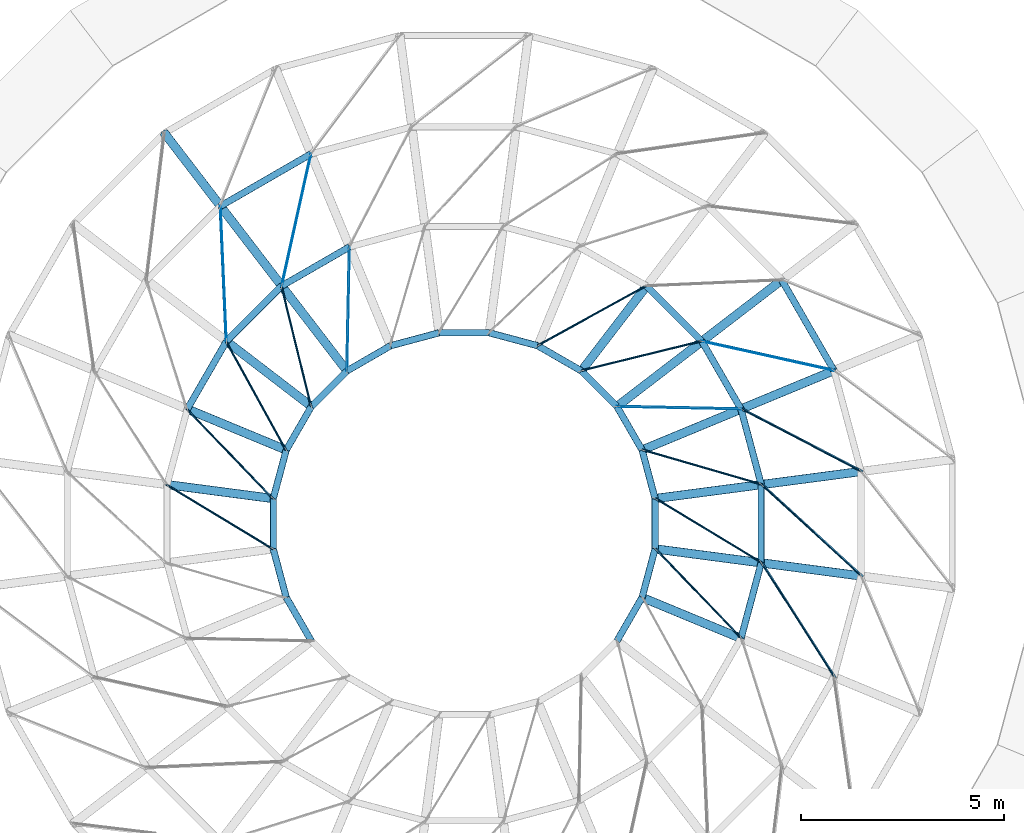
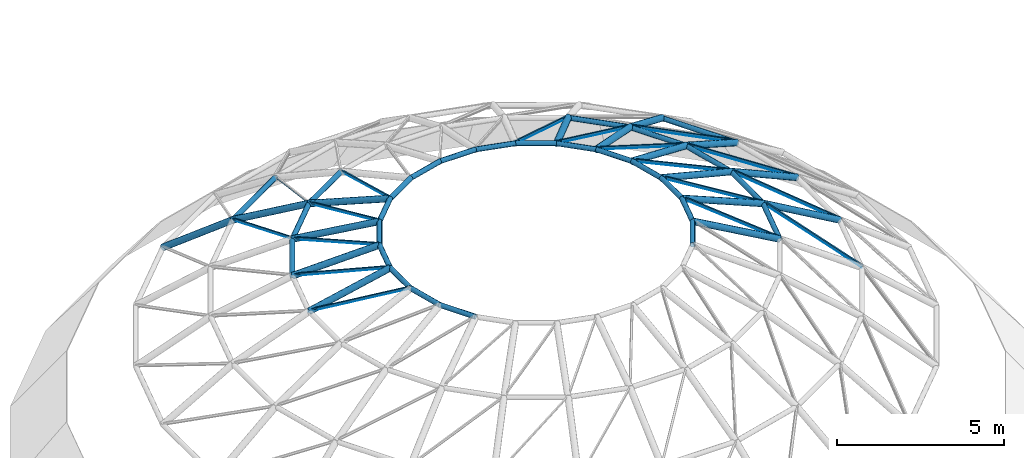
# One storey, part 5 of 33: 60 members, 16 beams.
"""IFC4 building model written with IfcOpenShell, lengths in metres."""

from ifc_helpers import new_model, si_unit, direction, frame, origin, origin_2d, place, context, subcontext, project, spatial, rectangle, circle, hollow_circle, extrude, material, material_profile, profile_set, type_object, element, save


model = new_model("IFC4")

# Units and contexts
model_context = context("Model", 3, precision=1e-05, world=origin(), true_north=direction((0.0, 1.0)))
body_context = subcontext(model_context, "Body", "Model", "MODEL_VIEW")
ifc_project = project(units=[si_unit("LENGTHUNIT", "METRE"), si_unit("AREAUNIT", "SQUARE_METRE"), si_unit("VOLUMEUNIT", "CUBIC_METRE"), si_unit("PLANEANGLEUNIT", "RADIAN"), si_unit("MASSUNIT", "GRAM", prefix="KILO")], contexts=[model_context])

# Site, building, storey
site_placement = place(None, origin())
site = spatial("IfcSite", under=ifc_project, at=site_placement, CompositionType="ELEMENT")
building_placement = place(site_placement, origin())
building = spatial("IfcBuilding", under=site, at=building_placement, Name="Hortulan Conservatory and Botanical Research Centre", CompositionType="ELEMENT")
storey_placement = place(building_placement, frame((0.0, 0.0, 19.199951171875)))
storey = spatial("IfcBuildingStorey", under=building, at=storey_placement, Name="L04", CompositionType="ELEMENT", Elevation=19.199951171875)

# Members
ifc_material_1 = material(Name="Steel Grade 300PLUS (AS/NZS 3679.1, 280 MPa minimum yield)", Category="steel")
ifc_material_profile_1 = material_profile(ifc_material_1, circle(Radius=0.011962890625, at=origin_2d()), Name="24 dia rod")
ifc_profile_set_1 = profile_set([ifc_material_profile_1], Name="Steel Grade 300PLUS (AS/NZS 3679.1, 280 MPa minimum yield)")
member_type_1 = type_object("IfcMemberType", Name="Dome Diagonal Rod 24 dia rod", PredefinedType="BRACE", material=ifc_profile_set_1)
member_1_placement = place(storey_placement, frame((63.753662109375, 19.2841796875, 2.0478515625), z_axis=(-0.82938424566, 0.431268825249, 0.355146411243), x_axis=(-0.461343488851, -0.887221610025, 0.0)))
element("IfcMember", 1, at=member_1_placement, inside=storey, type_object=member_type_1, Name="Dome diagonal rod row 6 panel 01", PredefinedType="BRACE", context=body_context, shape_type="SweptSolid", body=[
    extrude(circle(Radius=0.011962890625, at=origin_2d()), origin(), (0.0, 0.0, 1.0), 3.556884765625),
])
for number, where, z_axis, x_axis, name in (
    (2, (63.0888671875, 21.764892578125, 2.0478515625), (-0.912734144324, 0.201945089314, 0.355154280118), (-0.21602848282, -0.976387061882, 0.0), "Dome diagonal rod row 6 panel 02"),
    (3, (50.235107421875, 27.0888671875, 2.0478515625), (-0.201945089314, -0.912734144324, 0.355154280118), (0.976387061882, -0.21602848282, 0.0), "Dome diagonal rod row 6 panel 08"),
):
    element("IfcMember", number, at=place(storey_placement, frame(where, z_axis=z_axis, x_axis=x_axis)), inside=storey, type_object=member_type_1, Name=name, PredefinedType="BRACE", context=body_context, shape_type="SweptSolid", body=[
        extrude(circle(Radius=0.011962890625, at=origin_2d()), origin(), (0.0, 0.0, 1.0), 3.556640625),
    ])
for number, where, z_axis, x_axis, name in (
    (4, (48.010986328125, 25.804931640625, 2.0478515625), (0.041183552662, -0.933905695873, 0.355139502458), (0.999029090563, 0.044055376623, 0.0), "Dome diagonal rod row 6 panel 09"),
    (5, (63.0888671875, 14.235107421875, 2.0478515625), (-0.502512644571, 0.788260512259, 0.355142797843), (-0.8432288622, -0.537554728332, 0.0), "Dome diagonal rod row 6 panel 23"),
):
    element("IfcMember", number, at=place(storey_placement, frame(where, z_axis=z_axis, x_axis=x_axis)), inside=storey, type_object=member_type_1, Name=name, PredefinedType="BRACE", context=body_context, shape_type="SweptSolid", body=[
        extrude(circle(Radius=0.011962890625, at=origin_2d()), origin(), (0.0, 0.0, 1.0), 3.556884765625),
    ])
member_2_placement = place(storey_placement, frame((63.753662109375, 16.7158203125, 2.0478515625), z_axis=(-0.689439455028, 0.631299747898, 0.355153299513), x_axis=(-0.675325519699, -0.737519791221, 0.0)))
element("IfcMember", 6, at=member_2_placement, inside=storey, type_object=member_type_1, Name="Dome diagonal rod row 6 panel 24", PredefinedType="BRACE", context=body_context, shape_type="SweptSolid", body=[
    extrude(circle(Radius=0.011962890625, at=origin_2d()), origin(), (0.0, 0.0, 1.0), 3.556640625),
])
member_3_placement = place(storey_placement, frame((61.301513671875, 18.961181640625, 3.31103515625), z_axis=(-0.922011365203, 0.267626173194, 0.279770037457), x_axis=(-0.278757796425, -0.960361437654, 0.0)))
element("IfcMember", 7, at=member_3_placement, inside=storey, type_object=member_type_1, Name="Dome diagonal rod row 7 panel 01", PredefinedType="BRACE", context=body_context, shape_type="SweptSolid", body=[
    extrude(circle(Radius=0.011962890625, at=origin_2d()), origin(), (0.0, 0.0, 1.0), 3.176513671875),
])
for number, where, z_axis, x_axis, name in (
    (8, (60.8037109375, 20.818115234375, 3.31103515625), (-0.95985794945, 0.019907367786, 0.279779222934), (-0.02073545118, -0.999784997419, 0.0), "Dome diagonal rod row 7 panel 02"),
    (9, (59.842529296875, 22.483154296875, 3.31103515625), (-0.932281675123, -0.229284874012, 0.279784425546), (0.238822775095, -0.971063171012, 0.0), "Dome diagonal rod row 7 panel 03"),
    (10, (58.483154296875, 23.842529296875, 3.31103515625), (-0.841196503257, -0.462719567764, 0.279783924694), (0.481967922828, -0.876188861699, 0.0), "Dome diagonal rod row 7 panel 04"),
    (11, (51.181884765625, 24.8037109375, 3.31103515625), (-0.019907367786, -0.95985794945, 0.279779222934), (0.999784997419, -0.02073545118, 0.0), "Dome diagonal rod row 7 panel 08"),
    (12, (49.516845703125, 23.842529296875, 3.31103515625), (0.229284874012, -0.932281675123, 0.279784425546), (0.971063171012, 0.238822775095, 0.0), "Dome diagonal rod row 7 panel 09"),
    (13, (48.157470703125, 22.483154296875, 3.31103515625), (0.462719567764, -0.841196503257, 0.279783924694), (0.876188861699, 0.481967922828, 0.0), "Dome diagonal rod row 7 panel 10"),
    (14, (47.1962890625, 20.818115234375, 3.31103515625), (0.664732116111, -0.692711127474, 0.279790113627), (0.721528099742, 0.692385153858, 0.0), "Dome diagonal rod row 7 panel 11"),
):
    element("IfcMember", number, at=place(storey_placement, frame(where, z_axis=z_axis, x_axis=x_axis)), inside=storey, type_object=member_type_1, Name=name, PredefinedType="BRACE", context=body_context, shape_type="SweptSolid", body=[
        extrude(circle(Radius=0.011962890625, at=origin_2d()), origin(), (0.0, 0.0, 1.0), 3.17626953125),
    ])
member_4_placement = place(storey_placement, frame((46.698486328125, 18.961181640625, 3.31103515625), z_axis=(0.821356503549, -0.497102448297, 0.279754624583), x_axis=(0.517776468516, 0.855515942955, 0.0)))
element("IfcMember", 15, at=member_4_placement, inside=storey, type_object=member_type_1, Name="Dome diagonal rod row 7 panel 12", PredefinedType="BRACE", context=body_context, shape_type="SweptSolid", body=[
    extrude(circle(Radius=0.011962890625, at=origin_2d()), origin(), (0.0, 0.0, 1.0), 3.176513671875),
])
member_5_placement = place(storey_placement, frame((60.8037109375, 15.181884765625, 3.31103515625), z_axis=(-0.664732116111, 0.692711127474, 0.279790113627), x_axis=(-0.721528099742, -0.692385153858, 0.0)))
element("IfcMember", 16, at=member_5_placement, inside=storey, type_object=member_type_1, Name="Dome diagonal rod row 7 panel 23", PredefinedType="BRACE", context=body_context, shape_type="SweptSolid", body=[
    extrude(circle(Radius=0.011962890625, at=origin_2d()), origin(), (0.0, 0.0, 1.0), 3.17626953125),
])
member_6_placement = place(storey_placement, frame((61.301513671875, 17.038818359375, 3.31103515625), z_axis=(-0.821356503549, 0.497102448297, 0.279754624583), x_axis=(-0.517776468516, -0.855515942955, 0.0)))
element("IfcMember", 17, at=member_6_placement, inside=storey, type_object=member_type_1, Name="Dome diagonal rod row 7 panel 24", PredefinedType="BRACE", context=body_context, shape_type="SweptSolid", body=[
    extrude(circle(Radius=0.011962890625, at=origin_2d()), origin(), (0.0, 0.0, 1.0), 3.176513671875),
])
ifc_material_2 = material(Name="Bronze-finished aluminium", Category="aluminium")
ifc_material_profile_2 = material_profile(ifc_material_2, rectangle(XDim=0.050048828125, YDim=0.050048828125, at=origin_2d()), Name="Square bar 50x50")
ifc_profile_set_2 = profile_set([ifc_material_profile_2], Name="Bronze-finished aluminium")
member_type_2 = type_object("IfcMemberType", Name="Dome Glazing Bar 50x50", PredefinedType="MEMBER", material=ifc_profile_set_2)
for number, where, z_axis, x_axis, name in (
    (18, (63.788818359375, 19.288818359375, 2.10595703125), (-0.829336596238, 0.431287858806, 0.35523456052), (-0.461380380738, -0.887202425758, 0.0), "Dome glazing bar row 6 panel 01"),
    (19, (63.12158203125, 21.7783203125, 2.10595703125), (-0.912700027592, 0.20196352053, 0.355231468214), (-0.216054978023, -0.976381199364, 0.0), "Dome glazing bar row 6 panel 02"),
):
    element("IfcMember", number, at=place(storey_placement, frame(where, z_axis=z_axis, x_axis=x_axis)), inside=storey, type_object=member_type_2, Name=name, PredefinedType="MEMBER", context=body_context, shape_type="SweptSolid", body=[
        extrude(rectangle(XDim=0.050048828125, YDim=0.050048828125, at=origin_2d()), origin(), (0.0, 0.0, 1.0), 3.569580078125),
    ])
for number, where, z_axis, x_axis, name in (
    (20, (47.989501953125, 25.8330078125, 2.10595703125), (0.041171206169, -0.933875116682, 0.35522133695), (0.999029608316, 0.044043634142, 0.0), "Dome glazing bar row 6 panel 09"),
    (21, (63.12158203125, 14.2216796875, 2.10595703125), (-0.502538095021, 0.788207885836, 0.355223579959), (-0.843200251726, -0.537599605179, 0.0), "Dome glazing bar row 6 panel 23"),
    (22, (63.788818359375, 16.711181640625, 2.10595703125), (-0.689449899735, 0.631249139426, 0.35522297185), (-0.675290505525, -0.737551851159, 0.0), "Dome glazing bar row 6 panel 24"),
):
    element("IfcMember", number, at=place(storey_placement, frame(where, z_axis=z_axis, x_axis=x_axis)), inside=storey, type_object=member_type_2, Name=name, PredefinedType="MEMBER", context=body_context, shape_type="SweptSolid", body=[
        extrude(rectangle(XDim=0.050048828125, YDim=0.050048828125, at=origin_2d()), origin(), (0.0, 0.0, 1.0), 3.56982421875),
    ])
member_7_placement = place(storey_placement, frame((61.326904296875, 18.964599609375, 3.37255859375), z_axis=(-0.922018199606, 0.267635755539, 0.279738345515), x_axis=(-0.278765095955, -0.960359318837, 0.0)))
element("IfcMember", 23, at=member_7_placement, inside=storey, type_object=member_type_2, Name="Dome glazing bar row 7 panel 01", PredefinedType="MEMBER", context=body_context, shape_type="SweptSolid", body=[
    extrude(rectangle(XDim=0.050048828125, YDim=0.050048828125, at=origin_2d()), origin(), (0.0, 0.0, 1.0), 3.187255859375),
])
for number, where, z_axis, x_axis, name in (
    (24, (60.82763671875, 20.828125, 3.37255859375), (-0.959876252851, 0.01983785106, 0.279721359353), (-0.020662679903, -0.999786504039, 0.0), "Dome glazing bar row 7 panel 02"),
    (25, (59.863037109375, 22.498779296875, 3.37255859375), (-0.932309166176, -0.229247562797, 0.279723387683), (0.238779488258, -0.971073815931, 0.0), "Dome glazing bar row 7 panel 03"),
):
    element("IfcMember", number, at=place(storey_placement, frame(where, z_axis=z_axis, x_axis=x_axis)), inside=storey, type_object=member_type_2, Name=name, PredefinedType="MEMBER", context=body_context, shape_type="SweptSolid", body=[
        extrude(rectangle(XDim=0.050048828125, YDim=0.050048828125, at=origin_2d()), origin(), (0.0, 0.0, 1.0), 3.1875),
    ])
member_8_placement = place(storey_placement, frame((58.498779296875, 23.863037109375, 3.37255859375), z_axis=(-0.84120512129, -0.462731755392, 0.279737853119), x_axis=(0.481973877733, -0.876185586039, 0.0)))
element("IfcMember", 26, at=member_8_placement, inside=storey, type_object=member_type_2, Name="Dome glazing bar row 7 panel 04", PredefinedType="MEMBER", context=body_context, shape_type="SweptSolid", body=[
    extrude(rectangle(XDim=0.050048828125, YDim=0.050048828125, at=origin_2d()), origin(), (0.0, 0.0, 1.0), 3.187255859375),
])
for number, where, z_axis, x_axis, name in (
    (27, (51.171875, 24.82763671875, 3.37255859375), (-0.01983785106, -0.959876252851, 0.279721359353), (0.999786504039, -0.020662679903, 0.0), "Dome glazing bar row 7 panel 08"),
    (28, (49.501220703125, 23.863037109375, 3.37255859375), (0.229247562797, -0.932309166176, 0.279723387683), (0.971073815931, 0.238779488258, 0.0), "Dome glazing bar row 7 panel 09"),
):
    element("IfcMember", number, at=place(storey_placement, frame(where, z_axis=z_axis, x_axis=x_axis)), inside=storey, type_object=member_type_2, Name=name, PredefinedType="MEMBER", context=body_context, shape_type="SweptSolid", body=[
        extrude(rectangle(XDim=0.050048828125, YDim=0.050048828125, at=origin_2d()), origin(), (0.0, 0.0, 1.0), 3.1875),
    ])
for number, where, z_axis, x_axis, name in (
    (29, (48.136962890625, 22.498779296875, 3.37255859375), (0.462731755392, -0.84120512129, 0.279737853119), (0.876185586039, 0.481973877733, 0.0), "Dome glazing bar row 7 panel 10"),
    (30, (47.17236328125, 20.828125, 3.37255859375), (0.664715045164, -0.692749811992, 0.279734886488), (0.721556298409, 0.692355767093, 0.0), "Dome glazing bar row 7 panel 11"),
):
    element("IfcMember", number, at=place(storey_placement, frame(where, z_axis=z_axis, x_axis=x_axis)), inside=storey, type_object=member_type_2, Name=name, PredefinedType="MEMBER", context=body_context, shape_type="SweptSolid", body=[
        extrude(rectangle(XDim=0.050048828125, YDim=0.050048828125, at=origin_2d()), origin(), (0.0, 0.0, 1.0), 3.187255859375),
    ])
member_9_placement = place(storey_placement, frame((46.673095703125, 18.964599609375, 3.37255859375), z_axis=(0.821323200651, -0.497175127803, 0.279723242449), x_axis=(0.51784723864, 0.85547310737, 0.0)))
element("IfcMember", 31, at=member_9_placement, inside=storey, type_object=member_type_2, Name="Dome glazing bar row 7 panel 12", PredefinedType="MEMBER", context=body_context, shape_type="SweptSolid", body=[
    extrude(rectangle(XDim=0.050048828125, YDim=0.050048828125, at=origin_2d()), origin(), (0.0, 0.0, 1.0), 3.1875),
])
member_10_placement = place(storey_placement, frame((60.82763671875, 15.171875, 3.37255859375), z_axis=(-0.664715045164, 0.692749811992, 0.279734886488), x_axis=(-0.721556298409, -0.692355767093, 0.0)))
element("IfcMember", 32, at=member_10_placement, inside=storey, type_object=member_type_2, Name="Dome glazing bar row 7 panel 23", PredefinedType="MEMBER", context=body_context, shape_type="SweptSolid", body=[
    extrude(rectangle(XDim=0.050048828125, YDim=0.050048828125, at=origin_2d()), origin(), (0.0, 0.0, 1.0), 3.187255859375),
])
member_11_placement = place(storey_placement, frame((61.326904296875, 17.035400390625, 3.37255859375), z_axis=(-0.821323200651, 0.497175127803, 0.279723242449), x_axis=(-0.51784723864, -0.85547310737, 0.0)))
element("IfcMember", 33, at=member_11_placement, inside=storey, type_object=member_type_2, Name="Dome glazing bar row 7 panel 24", PredefinedType="MEMBER", context=body_context, shape_type="SweptSolid", body=[
    extrude(rectangle(XDim=0.050048828125, YDim=0.050048828125, at=origin_2d()), origin(), (0.0, 0.0, 1.0), 3.1875),
])

# Beams
ifc_material_3 = material(Name="Steel Grade C350L0 (350 MPa, AS/NZS 1163)", Category="steel")
ifc_material_profile_3 = material_profile(ifc_material_3, hollow_circle(Radius=0.109619140625, WallThickness=0.00830078125, at=origin_2d()), Name="219.1x8.2CHS")
ifc_profile_set_3 = profile_set([ifc_material_profile_3], Name="Steel Grade C350L0 (350 MPa, AS/NZS 1163)")
beam_type = type_object("IfcBeamType", Name="Dome Rib 219.1x8.2 CHS", PredefinedType="BEAM", material=ifc_profile_set_3)
beam_1_placement = place(storey_placement, frame((63.753662109375, 19.2841796875, 2.0478515625), z_axis=(-0.882948355144, -0.116302337102, 0.454836199673), x_axis=(0.130592395224, -0.991436143334, 0.0)))
element("IfcBeam", 34, at=beam_1_placement, inside=storey, type_object=beam_type, Name="Dome rib 01 segment 6", PredefinedType="BEAM", context=body_context, shape_type="SweptSolid", body=[
    extrude(hollow_circle(Radius=0.109619140625, WallThickness=0.00830078125, at=origin_2d()), origin(), (0.0, 0.0, 1.0), 2.77734375),
])
beam_2_placement = place(storey_placement, frame((61.301513671875, 18.961181640625, 3.31103515625), z_axis=(-0.939343064194, -0.123581580262, 0.319940933252), x_axis=(0.130437713774, -0.991456505766, 0.0)))
element("IfcBeam", 35, at=beam_2_placement, inside=storey, type_object=beam_type, Name="Dome rib 01 segment 7", PredefinedType="BEAM", context=body_context, shape_type="SweptSolid", body=[
    extrude(hollow_circle(Radius=0.109619140625, WallThickness=0.00830078125, at=origin_2d()), origin(), (0.0, 0.0, 1.0), 2.777587890625),
])
beam_3_placement = place(storey_placement, frame((63.0888671875, 21.764892578125, 2.0478515625), z_axis=(-0.822767695454, -0.340886017411, 0.45480769832), x_axis=(0.382764396992, -0.923845991708, 0.0)))
element("IfcBeam", 36, at=beam_3_placement, inside=storey, type_object=beam_type, Name="Dome rib 02 segment 6", PredefinedType="BEAM", context=body_context, shape_type="SweptSolid", body=[
    extrude(hollow_circle(Radius=0.109619140625, WallThickness=0.00830078125, at=origin_2d()), origin(), (0.0, 0.0, 1.0), 2.77734375),
])
beam_4_placement = place(storey_placement, frame((60.8037109375, 20.818115234375, 3.31103515625), z_axis=(-0.875312923744, -0.362537962993, 0.319989860644), x_axis=(0.382657736682, -0.923890175593, 0.0)))
element("IfcBeam", 37, at=beam_4_placement, inside=storey, type_object=beam_type, Name="Dome rib 02 segment 7", PredefinedType="BEAM", context=body_context, shape_type="SweptSolid", body=[
    extrude(hollow_circle(Radius=0.109619140625, WallThickness=0.00830078125, at=origin_2d()), origin(), (0.0, 0.0, 1.0), 2.777099609375),
])
for number, where, z_axis, x_axis, name in (
    (38, (61.804931640625, 23.989013671875, 2.0478515625), (-0.706546398149, -0.542171956181, 0.454798589702), (0.608775448045, -0.79334258291, 0.0), "Dome rib 03 segment 6"),
    (39, (59.842529296875, 22.483154296875, 3.31103515625), (-0.751662788999, -0.576734833192, 0.319968723185), (0.608737306285, -0.793371849725, 0.0), "Dome rib 03 segment 7"),
    (40, (58.483154296875, 23.842529296875, 3.31103515625), (-0.576734833192, -0.751662788999, 0.319968723185), (0.793371849725, -0.608737306285, 0.0), "Dome rib 04 segment 7"),
    (41, (46.634033203125, 27.599609375, 0.4365234375), (0.495793185558, -0.646201366495, 0.580183515014), (0.793385692987, 0.608719263835, 0.0), "Dome rib 09 segment 5"),
    (42, (48.010986328125, 25.804931640625, 2.0478515625), (0.542171956181, -0.706546398149, 0.454798589702), (0.79334258291, 0.608775448045, 0.0), "Dome rib 09 segment 6"),
    (43, (49.516845703125, 23.842529296875, 3.31103515625), (0.576734833192, -0.751662788999, 0.319968723185), (0.793371849725, 0.608737306285, 0.0), "Dome rib 09 segment 7"),
    (44, (48.157470703125, 22.483154296875, 3.31103515625), (0.751662788999, -0.576734833192, 0.319968723185), (0.608737306285, 0.793371849725, 0.0), "Dome rib 10 segment 7"),
):
    element("IfcBeam", number, at=place(storey_placement, frame(where, z_axis=z_axis, x_axis=x_axis)), inside=storey, type_object=beam_type, Name=name, PredefinedType="BEAM", context=body_context, shape_type="SweptSolid", body=[
        extrude(hollow_circle(Radius=0.109619140625, WallThickness=0.00830078125, at=origin_2d()), origin(), (0.0, 0.0, 1.0), 2.77734375),
    ])
beam_5_placement = place(storey_placement, frame((47.1962890625, 20.818115234375, 3.31103515625), z_axis=(0.875312923744, -0.362537962993, 0.319989860644), x_axis=(0.382657736682, 0.923890175593, 0.0)))
element("IfcBeam", 45, at=beam_5_placement, inside=storey, type_object=beam_type, Name="Dome rib 11 segment 7", PredefinedType="BEAM", context=body_context, shape_type="SweptSolid", body=[
    extrude(hollow_circle(Radius=0.109619140625, WallThickness=0.00830078125, at=origin_2d()), origin(), (0.0, 0.0, 1.0), 2.777099609375),
])
beam_6_placement = place(storey_placement, frame((46.698486328125, 18.961181640625, 3.31103515625), z_axis=(0.939343064194, -0.123581580262, 0.319940933252), x_axis=(0.130437713774, 0.991456505766, 0.0)))
element("IfcBeam", 46, at=beam_6_placement, inside=storey, type_object=beam_type, Name="Dome rib 12 segment 7", PredefinedType="BEAM", context=body_context, shape_type="SweptSolid", body=[
    extrude(hollow_circle(Radius=0.109619140625, WallThickness=0.00830078125, at=origin_2d()), origin(), (0.0, 0.0, 1.0), 2.777587890625),
])
beam_7_placement = place(storey_placement, frame((60.8037109375, 15.181884765625, 3.31103515625), z_axis=(-0.875312923744, 0.362537962993, 0.319989860644), x_axis=(-0.382657736682, -0.923890175593, 0.0)))
element("IfcBeam", 47, at=beam_7_placement, inside=storey, type_object=beam_type, Name="Dome rib 23 segment 7", PredefinedType="BEAM", context=body_context, shape_type="SweptSolid", body=[
    extrude(hollow_circle(Radius=0.109619140625, WallThickness=0.00830078125, at=origin_2d()), origin(), (0.0, 0.0, 1.0), 2.777099609375),
])
beam_8_placement = place(storey_placement, frame((63.753662109375, 16.7158203125, 2.0478515625), z_axis=(-0.882948355144, 0.116302337102, 0.454836199673), x_axis=(-0.130592395224, -0.991436143334, 0.0)))
element("IfcBeam", 48, at=beam_8_placement, inside=storey, type_object=beam_type, Name="Dome rib 24 segment 6", PredefinedType="BEAM", context=body_context, shape_type="SweptSolid", body=[
    extrude(hollow_circle(Radius=0.109619140625, WallThickness=0.00830078125, at=origin_2d()), origin(), (0.0, 0.0, 1.0), 2.77734375),
])
beam_9_placement = place(storey_placement, frame((61.301513671875, 17.038818359375, 3.31103515625), z_axis=(-0.939343064194, 0.123581580262, 0.319940933252), x_axis=(-0.130437713774, -0.991456505766, 0.0)))
element("IfcBeam", 49, at=beam_9_placement, inside=storey, type_object=beam_type, Name="Dome rib 24 segment 7", PredefinedType="BEAM", context=body_context, shape_type="SweptSolid", body=[
    extrude(hollow_circle(Radius=0.109619140625, WallThickness=0.00830078125, at=origin_2d()), origin(), (0.0, 0.0, 1.0), 2.777587890625),
])

# Members
ifc_material_profile_4 = material_profile(ifc_material_3, hollow_circle(Radius=0.084228515625, WallThickness=0.00634765625, at=origin_2d()), Name="168.3x6.4CHS")
ifc_profile_set_4 = profile_set([ifc_material_profile_4], Name="Steel Grade C350L0 (350 MPa, AS/NZS 1163)")
member_type_3 = type_object("IfcMemberType", Name="Dome Ring 168.3x6.4 CHS", PredefinedType="PURLIN", material=ifc_profile_set_4)
for number, where, z_axis, x_axis, name in (
    (50, (63.0888671875, 21.764892578125, 2.0478515625), (-0.499952873616, 0.866052610505, 0.0), (-0.866052610505, -0.499952873616, 0.0), "Dome ring 5 chord 02"),
    (51, (50.235107421875, 27.0888671875, 2.0478515625), (-0.866052610505, -0.499952873616, 0.0), (0.499952873616, -0.866052610505, 0.0), "Dome ring 5 chord 08"),
):
    element("IfcMember", number, at=place(storey_placement, frame(where, z_axis=z_axis, x_axis=x_axis)), inside=storey, type_object=member_type_3, Name=name, PredefinedType="PURLIN", context=body_context, shape_type="SweptSolid", body=[
        extrude(hollow_circle(Radius=0.084228515625, WallThickness=0.00634765625, at=origin_2d()), origin(), (0.0, 0.0, 1.0), 2.568115234375),
    ])
for number, where, z_axis, x_axis, name in (
    (52, (61.301513671875, 18.961181640625, 3.31103515625), (-0.258934973361, 0.965894755949, 0.0), (-0.965894755949, -0.258934973361, 0.0), "Dome ring 6 chord 01"),
    (53, (60.8037109375, 20.818115234375, 3.31103515625), (-0.499949632511, 0.866054481515, 0.0), (-0.866054481515, -0.499949632511, 0.0), "Dome ring 6 chord 02"),
):
    element("IfcMember", number, at=place(storey_placement, frame(where, z_axis=z_axis, x_axis=x_axis)), inside=storey, type_object=member_type_3, Name=name, PredefinedType="PURLIN", context=body_context, shape_type="SweptSolid", body=[
        extrude(hollow_circle(Radius=0.084228515625, WallThickness=0.00634765625, at=origin_2d()), origin(), (0.0, 0.0, 1.0), 1.922607421875),
    ])
member_12_placement = place(storey_placement, frame((59.842529296875, 22.483154296875, 3.31103515625), z_axis=(-0.707106781187, 0.707106781187, 0.0), x_axis=(-0.707106781187, -0.707106781187, 0.0)))
element("IfcMember", 54, at=member_12_placement, inside=storey, type_object=member_type_3, Name="Dome ring 6 chord 03", PredefinedType="PURLIN", context=body_context, shape_type="SweptSolid", body=[
    extrude(hollow_circle(Radius=0.084228515625, WallThickness=0.00634765625, at=origin_2d()), origin(), (0.0, 0.0, 1.0), 1.92236328125),
])
member_13_placement = place(storey_placement, frame((51.181884765625, 24.8037109375, 3.31103515625), z_axis=(-0.866054481515, -0.499949632511, 0.0), x_axis=(0.499949632511, -0.866054481515, 0.0)))
element("IfcMember", 55, at=member_13_placement, inside=storey, type_object=member_type_3, Name="Dome ring 6 chord 08", PredefinedType="PURLIN", context=body_context, shape_type="SweptSolid", body=[
    extrude(hollow_circle(Radius=0.084228515625, WallThickness=0.00634765625, at=origin_2d()), origin(), (0.0, 0.0, 1.0), 1.922607421875),
])
member_14_placement = place(storey_placement, frame((49.516845703125, 23.842529296875, 3.31103515625), z_axis=(-0.707106781187, -0.707106781187, 0.0), x_axis=(0.707106781187, -0.707106781187, 0.0)))
element("IfcMember", 56, at=member_14_placement, inside=storey, type_object=member_type_3, Name="Dome ring 6 chord 09", PredefinedType="PURLIN", context=body_context, shape_type="SweptSolid", body=[
    extrude(hollow_circle(Radius=0.084228515625, WallThickness=0.00634765625, at=origin_2d()), origin(), (0.0, 0.0, 1.0), 1.92236328125),
])
for number, where, z_axis, x_axis, name in (
    (57, (48.157470703125, 22.483154296875, 3.31103515625), (-0.499949632511, -0.866054481515, 0.0), (0.866054481515, -0.499949632511, 0.0), "Dome ring 6 chord 10"),
    (58, (60.8037109375, 15.181884765625, 3.31103515625), (0.258934973361, 0.965894755949, 0.0), (-0.965894755949, 0.258934973361, 0.0), "Dome ring 6 chord 23"),
):
    element("IfcMember", number, at=place(storey_placement, frame(where, z_axis=z_axis, x_axis=x_axis)), inside=storey, type_object=member_type_3, Name=name, PredefinedType="PURLIN", context=body_context, shape_type="SweptSolid", body=[
        extrude(hollow_circle(Radius=0.084228515625, WallThickness=0.00634765625, at=origin_2d()), origin(), (0.0, 0.0, 1.0), 1.922607421875),
    ])
member_15_placement = place(storey_placement, frame((61.301513671875, 17.038818359375, 3.31103515625), z_axis=(0.0, 1.0, 0.0), x_axis=(-1.0, 0.0, 0.0)))
element("IfcMember", 59, at=member_15_placement, inside=storey, type_object=member_type_3, Name="Dome ring 6 chord 24", PredefinedType="PURLIN", context=body_context, shape_type="SweptSolid", body=[
    extrude(hollow_circle(Radius=0.084228515625, WallThickness=0.00634765625, at=origin_2d()), origin(), (0.0, 0.0, 1.0), 1.92236328125),
])
member_16_placement = place(storey_placement, frame((58.6923828125, 18.617919921875, 4.19970703125), z_axis=(-0.258683402092, 0.965962161517, 0.0), x_axis=(-0.965962161517, -0.258683402092, 0.0)))
element("IfcMember", 60, at=member_16_placement, inside=storey, type_object=member_type_3, Name="Dome ring 7 chord 01", PredefinedType="PURLIN", context=body_context, shape_type="SweptSolid", body=[
    extrude(hollow_circle(Radius=0.084228515625, WallThickness=0.00634765625, at=origin_2d()), origin(), (0.0, 0.0, 1.0), 1.2353515625),
])
member_17_placement = place(storey_placement, frame((58.372802734375, 19.811279296875, 4.19970703125), z_axis=(-0.500070203315, 0.865984868088, 0.0), x_axis=(-0.865984868088, -0.500070203315, 0.0)))
element("IfcMember", 61, at=member_17_placement, inside=storey, type_object=member_type_3, Name="Dome ring 7 chord 02", PredefinedType="PURLIN", context=body_context, shape_type="SweptSolid", body=[
    extrude(hollow_circle(Radius=0.084228515625, WallThickness=0.00634765625, at=origin_2d()), origin(), (0.0, 0.0, 1.0), 1.235595703125),
])
member_18_placement = place(storey_placement, frame((57.7548828125, 20.88134765625, 4.19970703125), z_axis=(-0.707106781187, 0.707106781187, 0.0), x_axis=(-0.707106781187, -0.707106781187, 0.0)))
element("IfcMember", 62, at=member_18_placement, inside=storey, type_object=member_type_3, Name="Dome ring 7 chord 03", PredefinedType="PURLIN", context=body_context, shape_type="SweptSolid", body=[
    extrude(hollow_circle(Radius=0.084228515625, WallThickness=0.00634765625, at=origin_2d()), origin(), (0.0, 0.0, 1.0), 1.2353515625),
])
member_19_placement = place(storey_placement, frame((56.88134765625, 21.7548828125, 4.19970703125), z_axis=(-0.865984868088, 0.500070203315, 0.0), x_axis=(-0.500070203315, -0.865984868088, 0.0)))
element("IfcMember", 63, at=member_19_placement, inside=storey, type_object=member_type_3, Name="Dome ring 7 chord 04", PredefinedType="PURLIN", context=body_context, shape_type="SweptSolid", body=[
    extrude(hollow_circle(Radius=0.084228515625, WallThickness=0.00634765625, at=origin_2d()), origin(), (0.0, 0.0, 1.0), 1.235595703125),
])
member_20_placement = place(storey_placement, frame((55.811279296875, 22.372802734375, 4.19970703125), z_axis=(-0.965962161517, 0.258683402092, 0.0), x_axis=(-0.258683402092, -0.965962161517, 0.0)))
element("IfcMember", 64, at=member_20_placement, inside=storey, type_object=member_type_3, Name="Dome ring 7 chord 05", PredefinedType="PURLIN", context=body_context, shape_type="SweptSolid", body=[
    extrude(hollow_circle(Radius=0.084228515625, WallThickness=0.00634765625, at=origin_2d()), origin(), (0.0, 0.0, 1.0), 1.2353515625),
])
member_21_placement = place(storey_placement, frame((54.617919921875, 22.6923828125, 4.19970703125), z_axis=(-1.0, 0.0, 0.0), x_axis=(0.0, -1.0, 0.0)))
element("IfcMember", 65, at=member_21_placement, inside=storey, type_object=member_type_3, Name="Dome ring 7 chord 06", PredefinedType="PURLIN", context=body_context, shape_type="SweptSolid", body=[
    extrude(hollow_circle(Radius=0.084228515625, WallThickness=0.00634765625, at=origin_2d()), origin(), (0.0, 0.0, 1.0), 1.23583984375),
])
member_22_placement = place(storey_placement, frame((53.382080078125, 22.6923828125, 4.19970703125), z_axis=(-0.965962161517, -0.258683402092, 0.0), x_axis=(0.258683402092, -0.965962161517, 0.0)))
element("IfcMember", 66, at=member_22_placement, inside=storey, type_object=member_type_3, Name="Dome ring 7 chord 07", PredefinedType="PURLIN", context=body_context, shape_type="SweptSolid", body=[
    extrude(hollow_circle(Radius=0.084228515625, WallThickness=0.00634765625, at=origin_2d()), origin(), (0.0, 0.0, 1.0), 1.2353515625),
])
member_23_placement = place(storey_placement, frame((52.188720703125, 22.372802734375, 4.19970703125), z_axis=(-0.865984868088, -0.500070203315, 0.0), x_axis=(0.500070203315, -0.865984868088, 0.0)))
element("IfcMember", 67, at=member_23_placement, inside=storey, type_object=member_type_3, Name="Dome ring 7 chord 08", PredefinedType="PURLIN", context=body_context, shape_type="SweptSolid", body=[
    extrude(hollow_circle(Radius=0.084228515625, WallThickness=0.00634765625, at=origin_2d()), origin(), (0.0, 0.0, 1.0), 1.235595703125),
])
member_24_placement = place(storey_placement, frame((51.11865234375, 21.7548828125, 4.19970703125), z_axis=(-0.707106781187, -0.707106781187, 0.0), x_axis=(0.707106781187, -0.707106781187, 0.0)))
element("IfcMember", 68, at=member_24_placement, inside=storey, type_object=member_type_3, Name="Dome ring 7 chord 09", PredefinedType="PURLIN", context=body_context, shape_type="SweptSolid", body=[
    extrude(hollow_circle(Radius=0.084228515625, WallThickness=0.00634765625, at=origin_2d()), origin(), (0.0, 0.0, 1.0), 1.2353515625),
])
member_25_placement = place(storey_placement, frame((50.2451171875, 20.88134765625, 4.19970703125), z_axis=(-0.500070203315, -0.865984868088, 0.0), x_axis=(0.865984868088, -0.500070203315, 0.0)))
element("IfcMember", 69, at=member_25_placement, inside=storey, type_object=member_type_3, Name="Dome ring 7 chord 10", PredefinedType="PURLIN", context=body_context, shape_type="SweptSolid", body=[
    extrude(hollow_circle(Radius=0.084228515625, WallThickness=0.00634765625, at=origin_2d()), origin(), (0.0, 0.0, 1.0), 1.235595703125),
])
member_26_placement = place(storey_placement, frame((49.627197265625, 19.811279296875, 4.19970703125), z_axis=(-0.258683402092, -0.965962161517, 0.0), x_axis=(0.965962161517, -0.258683402092, 0.0)))
element("IfcMember", 70, at=member_26_placement, inside=storey, type_object=member_type_3, Name="Dome ring 7 chord 11", PredefinedType="PURLIN", context=body_context, shape_type="SweptSolid", body=[
    extrude(hollow_circle(Radius=0.084228515625, WallThickness=0.00634765625, at=origin_2d()), origin(), (0.0, 0.0, 1.0), 1.2353515625),
])
member_27_placement = place(storey_placement, frame((49.3076171875, 18.617919921875, 4.19970703125), z_axis=(0.0, -1.0, 0.0), x_axis=(1.0, 0.0, 0.0)))
element("IfcMember", 71, at=member_27_placement, inside=storey, type_object=member_type_3, Name="Dome ring 7 chord 12", PredefinedType="PURLIN", context=body_context, shape_type="SweptSolid", body=[
    extrude(hollow_circle(Radius=0.084228515625, WallThickness=0.00634765625, at=origin_2d()), origin(), (0.0, 0.0, 1.0), 1.23583984375),
])
member_28_placement = place(storey_placement, frame((49.3076171875, 17.382080078125, 4.19970703125), z_axis=(0.258683402092, -0.965962161517, 0.0), x_axis=(0.965962161517, 0.258683402092, 0.0)))
element("IfcMember", 72, at=member_28_placement, inside=storey, type_object=member_type_3, Name="Dome ring 7 chord 13", PredefinedType="PURLIN", context=body_context, shape_type="SweptSolid", body=[
    extrude(hollow_circle(Radius=0.084228515625, WallThickness=0.00634765625, at=origin_2d()), origin(), (0.0, 0.0, 1.0), 1.2353515625),
])
for number, where, z_axis, x_axis, name in (
    (73, (49.627197265625, 16.188720703125, 4.19970703125), (0.500070203315, -0.865984868088, 0.0), (0.865984868088, 0.500070203315, 0.0), "Dome ring 7 chord 14"),
    (74, (57.7548828125, 15.11865234375, 4.19970703125), (0.500070203315, 0.865984868088, 0.0), (-0.865984868088, 0.500070203315, 0.0), "Dome ring 7 chord 22"),
):
    element("IfcMember", number, at=place(storey_placement, frame(where, z_axis=z_axis, x_axis=x_axis)), inside=storey, type_object=member_type_3, Name=name, PredefinedType="PURLIN", context=body_context, shape_type="SweptSolid", body=[
        extrude(hollow_circle(Radius=0.084228515625, WallThickness=0.00634765625, at=origin_2d()), origin(), (0.0, 0.0, 1.0), 1.235595703125),
    ])
member_29_placement = place(storey_placement, frame((58.372802734375, 16.188720703125, 4.19970703125), z_axis=(0.258683402092, 0.965962161517, 0.0), x_axis=(-0.965962161517, 0.258683402092, 0.0)))
element("IfcMember", 75, at=member_29_placement, inside=storey, type_object=member_type_3, Name="Dome ring 7 chord 23", PredefinedType="PURLIN", context=body_context, shape_type="SweptSolid", body=[
    extrude(hollow_circle(Radius=0.084228515625, WallThickness=0.00634765625, at=origin_2d()), origin(), (0.0, 0.0, 1.0), 1.2353515625),
])
member_30_placement = place(storey_placement, frame((58.6923828125, 17.382080078125, 4.19970703125), z_axis=(0.0, 1.0, 0.0), x_axis=(-1.0, 0.0, 0.0)))
element("IfcMember", 76, at=member_30_placement, inside=storey, type_object=member_type_3, Name="Dome ring 7 chord 24", PredefinedType="PURLIN", context=body_context, shape_type="SweptSolid", body=[
    extrude(hollow_circle(Radius=0.084228515625, WallThickness=0.00634765625, at=origin_2d()), origin(), (0.0, 0.0, 1.0), 1.23583984375),
])

save(model, "model.ifc")
